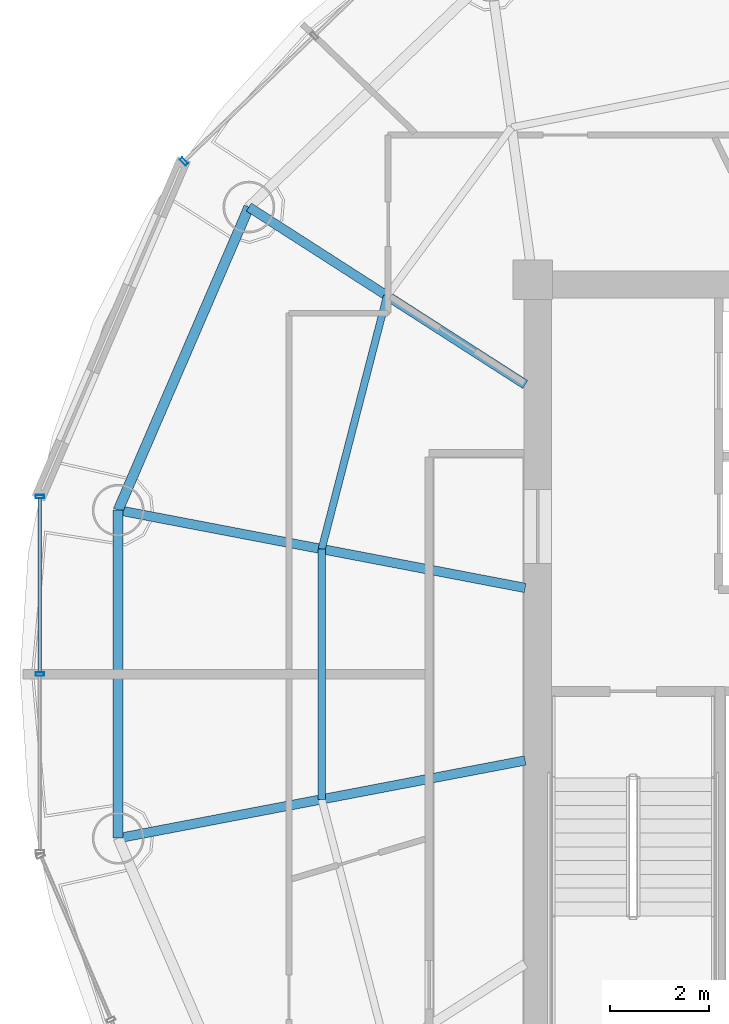
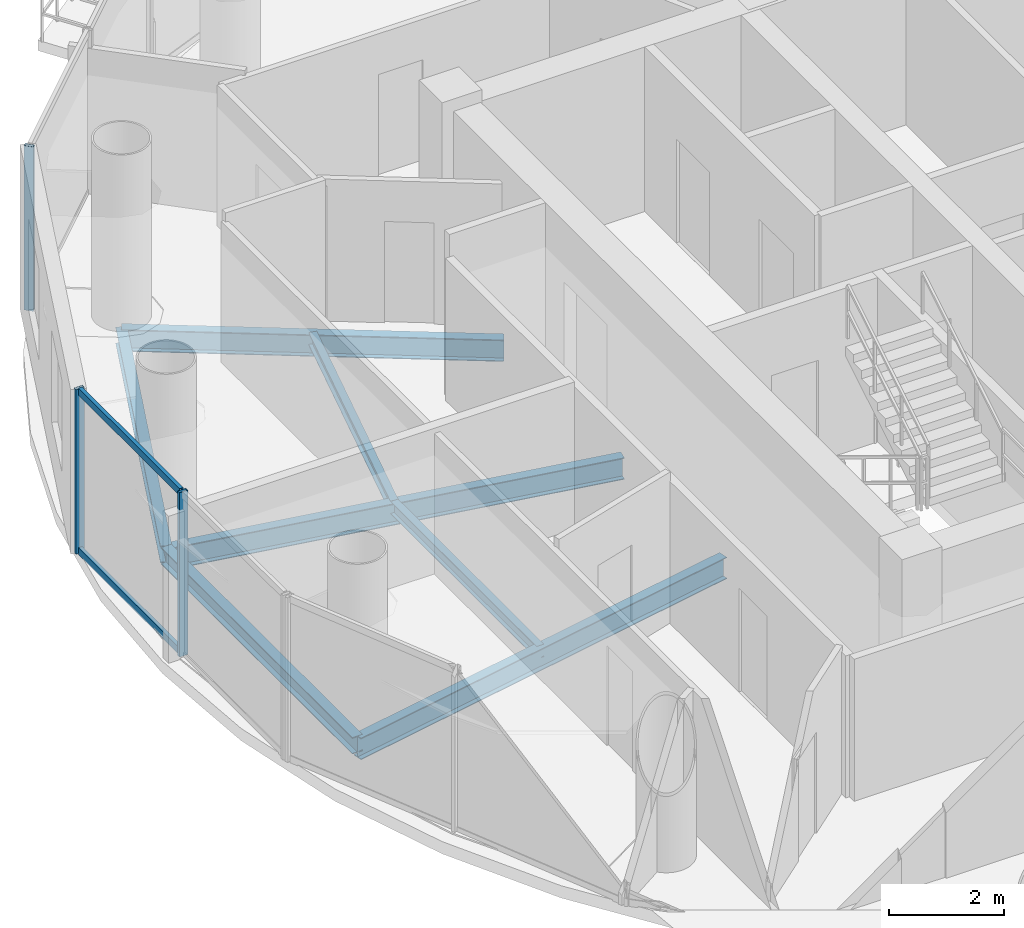
# One storey, part 8 of 24: 7 beams, 5 members, 2 elements without a shape of their own.
"""IFC4 building model written with IfcOpenShell, lengths in metres."""

import ifcopenshell
import ifcopenshell.guid

model = None  # the IFC model being written
_history = None  # IfcOwnerHistory: only IFC2X3 demands one
_inside = {}  # id of a spatial element -> (the spatial element, [elements in it])
_under = {}  # id of a project, library or spatial element -> (it, [spatial elements below it])
_declared = {}  # id of a project -> (the project, [libraries it declares])
_typed = {}  # id of a type object -> (the type object, [elements of that type])
_made_of = {}  # id of a material, layer set ... -> (it, [elements and type objects made of it])


def new_model(schema):
    """Start an empty IFC model of exactly this schema.

    Asked for "IFC4X3", IfcOpenShell would pick the latest addendum, in which some entities
    have other attributes; the version numbers below select the first issue.
    IFC2X3 requires an IfcOwnerHistory on every rooted entity: one is made here for all.
    """
    global model, _history
    if schema == "IFC4X3":
        model = ifcopenshell.file(schema_version=(4, 3, 0, 0))
    else:
        model = ifcopenshell.file(schema=schema)
    _inside.clear()
    _under.clear()
    _declared.clear()
    _typed.clear()
    _made_of.clear()
    _history = None
    if model.schema == "IFC2X3":
        org = make("IfcOrganization", Name="unknown")
        user = make(
            "IfcPersonAndOrganization",
            ThePerson=make("IfcPerson", FamilyName="unknown"),
            TheOrganization=org,
        )
        app = make(
            "IfcApplication",
            ApplicationDeveloper=org,
            Version="unknown",
            ApplicationFullName="unknown",
            ApplicationIdentifier="unknown",
        )
        _history = make(
            "IfcOwnerHistory",
            OwningUser=user,
            OwningApplication=app,
            ChangeAction="ADDED",
            CreationDate=0,
        )
    return model


def make(cls, **values):
    """One entity of the class cls with the attributes given. An attribute that is None is left unset."""
    return model.create_entity(
        cls, **{name: value for name, value in values.items() if value is not None}
    )


def rooted(cls, **values):
    """An entity with a GlobalId (a new one), such as an element, a storey or a relation."""
    return make(cls, GlobalId=ifcopenshell.guid.new(), OwnerHistory=_history, **values)


def si_unit(unit_type, name, prefix=None):
    """IfcSIUnit, for example si_unit("LENGTHUNIT", "METRE", prefix="MILLI")."""
    return make("IfcSIUnit", UnitType=unit_type, Prefix=prefix, Name=name)


def assignment(units):
    """IfcUnitAssignment: the units of a project."""
    return None if units is None else make("IfcUnitAssignment", Units=units)


def point(xyz):
    """IfcCartesianPoint."""
    return None if xyz is None else make("IfcCartesianPoint", Coordinates=xyz)


def direction(xyz):
    """IfcDirection."""
    return None if xyz is None else make("IfcDirection", DirectionRatios=xyz)


def frame(location, z_axis=None, x_axis=None):
    """IfcAxis2Placement3D, a coordinate frame: its origin and axes. An axis left out is left unset."""
    return make(
        "IfcAxis2Placement3D",
        Location=point(location),
        Axis=direction(z_axis),
        RefDirection=direction(x_axis),
    )


def frame_2d(location, x_axis=None):
    """IfcAxis2Placement2D, a coordinate frame in the plane: its origin and x axis."""
    return make(
        "IfcAxis2Placement2D", Location=point(location), RefDirection=direction(x_axis)
    )


def origin():
    """The frame at (0, 0, 0) with its axes left unset."""
    return frame((0.0, 0.0, 0.0))


def origin_2d():
    """The frame at (0, 0) in the plane with its x axis left unset."""
    return frame_2d((0.0, 0.0))


def place(relative_to, where):
    """IfcLocalPlacement: puts the frame where relative to a parent placement (None: the world)."""
    return make(
        "IfcLocalPlacement", PlacementRelTo=relative_to, RelativePlacement=where
    )


def context(
    kind, dimensions, precision=None, world=None, true_north=None, identifier=None
):
    """IfcGeometricRepresentationContext, for example the 3D "Model" context."""
    return make(
        "IfcGeometricRepresentationContext",
        ContextIdentifier=identifier,
        ContextType=kind,
        CoordinateSpaceDimension=dimensions,
        Precision=precision,
        WorldCoordinateSystem=world,
        TrueNorth=true_north,
    )


def subcontext(parent, identifier, kind, view, scale=None):
    """IfcGeometricRepresentationSubContext, for example "Body" below "Model"."""
    return make(
        "IfcGeometricRepresentationSubContext",
        ContextIdentifier=identifier,
        ContextType=kind,
        ParentContext=parent,
        TargetScale=scale,
        TargetView=view,
    )


def project(units=None, contexts=None):
    """IfcProject with its units and contexts."""
    return rooted(
        "IfcProject",
        Name="project",
        RepresentationContexts=contexts,
        UnitsInContext=assignment(units),
    )


def spatial(cls, under=None, at=None, **own):
    """A site, building, storey or space (cls), placed at a placement, below another one or the project."""
    s = rooted(cls, ObjectPlacement=at, **own)
    if under is not None:
        _under.setdefault(under.id(), (under, []))[1].append(s)
    return s


def profile(cls, at=None, kind="AREA", **sizes):
    """A parametric profile (cls). Its sizes go by their IFC names, for example OverallWidth=200.0."""
    return make(cls, ProfileType=kind, Position=at, **sizes)


def hollow_rectangle(**sizes):
    """IfcRectangleHollowProfileDef."""
    return profile("IfcRectangleHollowProfileDef", **sizes)


def i_section(**sizes):
    """IfcIShapeProfileDef."""
    return profile("IfcIShapeProfileDef", **sizes)


def extrude(swept, where, along, depth):
    """IfcExtrudedAreaSolid: the profile swept, set in the frame where, extruded along a direction by depth."""
    return make(
        "IfcExtrudedAreaSolid",
        SweptArea=swept,
        Position=where,
        ExtrudedDirection=direction(along),
        Depth=depth,
    )


def shape(context_of_items, identifier, shape_type, items):
    """IfcShapeRepresentation: the items that make up one representation, for example the "Body"."""
    return make(
        "IfcShapeRepresentation",
        ContextOfItems=context_of_items,
        RepresentationIdentifier=identifier,
        RepresentationType=shape_type,
        Items=items,
    )


def source(mapping_origin, context_of_items, identifier, shape_type, items):
    """IfcRepresentationMap: a shape defined once, which mapped items show again and again."""
    return make(
        "IfcRepresentationMap",
        MappingOrigin=mapping_origin,
        MappedRepresentation=shape(context_of_items, identifier, shape_type, items),
    )


def transform(
    local_origin,
    x_axis=None,
    y_axis=None,
    z_axis=None,
    scale=None,
    scale2=None,
    scale3=None,
    uniform=True,
):
    """IfcCartesianTransformationOperator3D, or its non-uniform kind. x_axis, y_axis, z_axis: its Axis1, 2, 3."""
    if uniform:
        return make(
            "IfcCartesianTransformationOperator3D",
            Axis1=direction(x_axis),
            Axis2=direction(y_axis),
            LocalOrigin=point(local_origin),
            Scale=scale,
            Axis3=direction(z_axis),
        )
    return make(
        "IfcCartesianTransformationOperator3DnonUniform",
        Axis1=direction(x_axis),
        Axis2=direction(y_axis),
        LocalOrigin=point(local_origin),
        Scale=scale,
        Axis3=direction(z_axis),
        Scale2=scale2,
        Scale3=scale3,
    )


def mapped(mapping_source, mapping_target):
    """IfcMappedItem: shows the shape of a source again, moved by a transform."""
    return make(
        "IfcMappedItem", MappingSource=mapping_source, MappingTarget=mapping_target
    )


def material(Name=None, Category=None):
    """IfcMaterial."""
    return make("IfcMaterial", Name=Name, Category=Category)


def material_profile(
    of_material, cross_section, Name=None, Category=None, Priority=None
):
    """IfcMaterialProfile: a cross section and its material."""
    return make(
        "IfcMaterialProfile",
        Name=Name,
        Material=of_material,
        Profile=cross_section,
        Priority=Priority,
        Category=Category,
    )


def profile_set(profiles, Name=None, composite=None):
    """IfcMaterialProfileSet."""
    return make(
        "IfcMaterialProfileSet",
        Name=Name,
        MaterialProfiles=profiles,
        CompositeProfile=composite,
    )


def made_of(thing, what):
    """Note that an element or type object is made of a material, layer set ...; save() writes the relation."""
    if what is not None:
        _made_of.setdefault(what.id(), (what, []))[1].append(thing)
    return thing


def type_object(cls, material=None, **own):
    """A type object (cls), such as IfcWallType, which elements share."""
    return made_of(rooted(cls, **own), material)


def element(
    cls,
    number,
    at=None,
    inside=None,
    cuts=None,
    type_object=None,
    material=None,
    context=None,
    identifier="Body",
    shape_type=None,
    held_by="IfcProductDefinitionShape",
    body=None,
    shapes=None,
    **own,
):
    """One element of the class cls, such as IfcWall. Its Tag is "e" and its number.

    at: its placement. inside: the storey or other place that contains it. cuts: it is an
    opening in that element (IfcRelVoidsElement). A single representation is given by context,
    identifier, shape_type and body (its items); several are given by shapes. held_by: the class
    of the entity that holds the representations. save() writes the other relations.
    """
    e = rooted(cls, Tag="e%d" % number, ObjectPlacement=at, **own)
    if body is not None:
        shapes = [shape(context, identifier, shape_type, body)]
    if shapes is not None:
        e.Representation = make(held_by, Representations=shapes)
    if inside is not None:
        _inside.setdefault(inside.id(), (inside, []))[1].append(e)
    if cuts is not None:
        rooted(
            "IfcRelVoidsElement", RelatingBuildingElement=cuts, RelatedOpeningElement=e
        )
    if type_object is not None:
        _typed.setdefault(type_object.id(), (type_object, []))[1].append(e)
    return made_of(e, material)


def aggregate(whole, parts):
    """IfcRelAggregates: a whole, such as a stair, and the parts it consists of."""
    return rooted("IfcRelAggregates", RelatingObject=whole, RelatedObjects=parts)


def save(model, path):
    """Write the relations noted so far, then the file.

    IfcRelAggregates (storeys below a building ...), IfcRelContainedInSpatialStructure (elements
    in a storey), IfcRelDefinesByType, IfcRelAssociatesMaterial and IfcRelDeclares: one each for
    every whole, place, type object, material and project.
    """
    for whole, parts in _under.values():
        aggregate(whole, parts)
    for where, things in _inside.values():
        rooted(
            "IfcRelContainedInSpatialStructure",
            RelatedElements=things,
            RelatingStructure=where,
        )
    for kind, things in _typed.values():
        rooted("IfcRelDefinesByType", RelatedObjects=things, RelatingType=kind)
    for what, things in _made_of.values():
        rooted("IfcRelAssociatesMaterial", RelatedObjects=things, RelatingMaterial=what)
    for by, libraries in _declared.values():
        rooted("IfcRelDeclares", RelatingContext=by, RelatedDefinitions=libraries)
    model.write(path)


model = new_model("IFC4")

# Units and contexts
model_context = context("Model", 3, precision=1e-05, world=origin(), true_north=direction((-0.2419218956, 0.970295726276)))
body_context = subcontext(model_context, "Body", "Model", "MODEL_VIEW")
ifc_project = project(units=[si_unit("LENGTHUNIT", "METRE"), si_unit("AREAUNIT", "SQUARE_METRE"), si_unit("VOLUMEUNIT", "CUBIC_METRE"), si_unit("PLANEANGLEUNIT", "RADIAN"), si_unit("MASSUNIT", "GRAM", prefix="KILO")], contexts=[model_context])

# Site, building, storey
site_placement = place(None, origin())
site = spatial("IfcSite", under=ifc_project, at=site_placement, CompositionType="ELEMENT")
building_placement = place(site_placement, origin())
building = spatial("IfcBuilding", under=site, at=building_placement, Name="Cobrevalo Terracotta Tower", CompositionType="ELEMENT")
storey_placement = place(building_placement, frame((0.0, 0.0, 278.199951171875)))
storey = spatial("IfcBuildingStorey", under=building, at=storey_placement, Name="L73", CompositionType="ELEMENT", Elevation=278.199951171875)

# Beams
ifc_material_1 = material(Name="Steel S355", Category="steel")
ifc_material_profile_1 = material_profile(ifc_material_1, i_section(OverallWidth=0.19091796875, OverallDepth=0.4599609375, WebThickness=0.010009765625, FlangeThickness=0.01611328125, at=origin_2d()), Name="W 460x82")
ifc_profile_set_1 = profile_set([ifc_material_profile_1], Name="Steel S355")
beam_type_1 = type_object("IfcBeamType", Name="Structural Beam W 460x82 (Steel S355)", PredefinedType="BEAM", material=ifc_profile_set_1)
beam_1_placement = place(storey_placement, frame((23.241455078125, 36.2724609375, -0.489990234375), z_axis=(0.84157615512, -0.540138477739, 0.0), x_axis=(0.540138477739, 0.84157615512, 0.0)))
element("IfcBeam", 1, at=beam_1_placement, inside=storey, type_object=beam_type_1, Name="L73 radial floor girder 07", PredefinedType="BEAM", context=body_context, shape_type="SweptSolid", body=[
    extrude(i_section(OverallWidth=0.19091796875, OverallDepth=0.4599609375, WebThickness=0.010009765625, FlangeThickness=0.01611328125, at=origin_2d()), origin(), (0.0, 0.0, 1.0), 6.658447265625),
])
beam_2_placement = place(storey_placement, frame((20.591064453125, 30.126220703125, -0.489990234375), z_axis=(0.982234917636, -0.187655446433, 0.0), x_axis=(0.187655446433, 0.982234917636, 0.0)))
element("IfcBeam", 2, at=beam_2_placement, inside=storey, type_object=beam_type_1, Name="L73 radial floor girder 08", PredefinedType="BEAM", context=body_context, shape_type="SweptSolid", body=[
    extrude(i_section(OverallWidth=0.19091796875, OverallDepth=0.4599609375, WebThickness=0.010009765625, FlangeThickness=0.01611328125, at=origin_2d()), origin(), (0.0, 0.0, 1.0), 8.403076171875),
])
beam_3_placement = place(storey_placement, frame((20.591064453125, 23.4736328125, -0.489990234375), z_axis=(0.982229562106, 0.187683476432, 0.0), x_axis=(-0.187683476432, 0.982229562106, 0.0)))
element("IfcBeam", 3, at=beam_3_placement, inside=storey, type_object=beam_type_1, Name="L73 radial floor girder 09", PredefinedType="BEAM", context=body_context, shape_type="SweptSolid", body=[
    extrude(i_section(OverallWidth=0.19091796875, OverallDepth=0.4599609375, WebThickness=0.010009765625, FlangeThickness=0.01611328125, at=origin_2d()), origin(), (0.0, 0.0, 1.0), 8.4033203125),
])
ifc_material_profile_2 = material_profile(ifc_material_1, i_section(OverallWidth=0.14794921875, OverallDepth=0.26611328125, WebThickness=0.007568359375, FlangeThickness=0.012939453125, at=origin_2d()), Name="W 250x44.8")
ifc_profile_set_2 = profile_set([ifc_material_profile_2], Name="Steel S355")
beam_type_2 = type_object("IfcBeamType", Name="Structural Joist W 250x44.8 (Steel S355)", PredefinedType="JOIST", material=ifc_profile_set_2)
beam_4_placement = place(storey_placement, frame((26.043212890625, 34.47412109375, -0.39306640625), z_axis=(-0.249816773293, -0.968293126993, 0.0), x_axis=(0.968293126993, -0.249816773293, 0.0)))
element("IfcBeam", 4, at=beam_4_placement, inside=storey, type_object=beam_type_2, Name="L73 circumferential secondary floor joist 07", PredefinedType="JOIST", context=body_context, shape_type="SweptSolid", body=[
    extrude(i_section(OverallWidth=0.14794921875, OverallDepth=0.26611328125, WebThickness=0.007568359375, FlangeThickness=0.012939453125, at=origin_2d()), origin(), (0.0, 0.0, 1.0), 5.3046875),
])
beam_5_placement = place(storey_placement, frame((24.718017578125, 29.337646484375, -0.39306640625), z_axis=(0.0, -1.0, 0.0), x_axis=(1.0, 0.0, 0.0)))
element("IfcBeam", 5, at=beam_5_placement, inside=storey, type_object=beam_type_2, Name="L73 circumferential secondary floor joist 08", PredefinedType="JOIST", context=body_context, shape_type="SweptSolid", body=[
    extrude(i_section(OverallWidth=0.14794921875, OverallDepth=0.26611328125, WebThickness=0.007568359375, FlangeThickness=0.012939453125, at=origin_2d()), origin(), (0.0, 0.0, 1.0), 5.075439453125),
])
ifc_material_profile_3 = material_profile(ifc_material_1, i_section(OverallWidth=0.205078125, OverallDepth=0.35400390625, WebThickness=0.009521484375, FlangeThickness=0.016845703125, at=origin_2d()), Name="W 360x79")
ifc_profile_set_3 = profile_set([ifc_material_profile_3], Name="Steel S355")
beam_type_3 = type_object("IfcBeamType", Name="Structural Spandrel W 360x79 (Steel S355)", PredefinedType="SPANDREL", material=ifc_profile_set_3)
beam_6_placement = place(storey_placement, frame((23.241455078125, 36.2724609375, -0.43701171875), z_axis=(-0.395974127655, -0.918261667624, 0.0), x_axis=(0.918261667624, -0.395974127655, 0.0)))
element("IfcBeam", 6, at=beam_6_placement, inside=storey, type_object=beam_type_3, Name="L73 perimeter ring spandrel 07", PredefinedType="SPANDREL", context=body_context, shape_type="SweptSolid", body=[
    extrude(i_section(OverallWidth=0.205078125, OverallDepth=0.35400390625, WebThickness=0.009521484375, FlangeThickness=0.016845703125, at=origin_2d()), origin(), (0.0, 0.0, 1.0), 6.693359375),
])
beam_7_placement = place(storey_placement, frame((20.591064453125, 30.126220703125, -0.43701171875), z_axis=(0.0, -1.0, 0.0), x_axis=(1.0, 0.0, 0.0)))
element("IfcBeam", 7, at=beam_7_placement, inside=storey, type_object=beam_type_3, Name="L73 perimeter ring spandrel 08", PredefinedType="SPANDREL", context=body_context, shape_type="SweptSolid", body=[
    extrude(i_section(OverallWidth=0.205078125, OverallDepth=0.35400390625, WebThickness=0.009521484375, FlangeThickness=0.016845703125, at=origin_2d()), origin(), (0.0, 0.0, 1.0), 6.652587890625),
])

# Curtain wall, member
ifc_material_2 = material(Name="Anodized aluminium", Category="aluminium")
curtain_wall_type = type_object("IfcCurtainWallType", Name="Upper-tower triple-glazed penthouse curtain wall CW-U3", PredefinedType="NOTDEFINED", material=ifc_material_2)
curtain_wall_1_placement = place(storey_placement, origin())
curtain_wall_1 = element("IfcCurtainWall", 8, at=curtain_wall_1_placement, inside=storey, type_object=curtain_wall_type, Name="L73 curtain wall CW-L73-S06", PredefinedType="NOTDEFINED")
ifc_material_profile_4 = material_profile(ifc_material_2, hollow_rectangle(XDim=0.070068359375, YDim=0.169921875, WallThickness=0.00439453125, at=origin_2d()), Name="CWM 70x170")
ifc_profile_set_4 = profile_set([ifc_material_profile_4], Name="Anodized aluminium")
member_type_1 = type_object("IfcMemberType", Name="Upper tower unitised mullion 70x170", PredefinedType="MULLION", material=ifc_profile_set_4)
shared_shape_1 = source(origin(), body_context, "Body", "SweptSolid", [
    extrude(hollow_rectangle(XDim=0.070068359375, YDim=0.169921875, WallThickness=0.00439453125, at=origin_2d()), origin(), (0.0, 0.0, 1.0), 3.489990234375),
])
member_1_placement = place(storey_placement, frame((21.92333984375, 37.2001953125, 0.0), z_axis=(0.0, 0.0, 1.0), x_axis=(-0.71999418085, -0.69398010025, 0.0)))
member_1 = element("IfcMember", 9, at=member_1_placement, type_object=member_type_1, Name="CW-L73-S06 vertical mullion 03", PredefinedType="MULLION", context=body_context, shape_type="MappedRepresentation", body=[
    mapped(shared_shape_1, transform((0.0, 0.0, 0.0), scale=1.0)),
])
aggregate(curtain_wall_1, [member_1])

# Curtain wall, members
curtain_wall_2_placement = place(storey_placement, origin())
curtain_wall_2 = element("IfcCurtainWall", 10, at=curtain_wall_2_placement, inside=storey, type_object=curtain_wall_type, Name="L73 curtain wall CW-L73-S08", PredefinedType="NOTDEFINED")
member_2_placement = place(storey_placement, frame((19.002197265625, 30.40234375, 0.0), z_axis=(0.0, 0.0, 1.0), x_axis=(0.0, -1.0, 0.0)))
member_2 = element("IfcMember", 11, at=member_2_placement, type_object=member_type_1, Name="CW-L73-S08 vertical mullion 01", PredefinedType="MULLION", context=body_context, shape_type="MappedRepresentation", body=[
    mapped(shared_shape_1, transform((0.0, 0.0, 0.0), scale=1.0)),
])
member_3_placement = place(storey_placement, frame((19.002197265625, 26.800048828125, 0.0), z_axis=(0.0, 0.0, 1.0), x_axis=(0.0, -1.0, 0.0)))
member_3 = element("IfcMember", 12, at=member_3_placement, type_object=member_type_1, Name="CW-L73-S08 vertical mullion 02", PredefinedType="MULLION", context=body_context, shape_type="MappedRepresentation", body=[
    mapped(shared_shape_1, transform((0.0, 0.0, 0.0), scale=1.0)),
])
ifc_material_profile_5 = material_profile(ifc_material_2, hollow_rectangle(XDim=0.074951171875, YDim=0.14990234375, WallThickness=0.00439453125, at=origin_2d()), Name="CWT 75x150")
ifc_profile_set_5 = profile_set([ifc_material_profile_5], Name="Anodized aluminium")
member_type_2 = type_object("IfcMemberType", Name="Tower unitised aluminium transom 75x150", PredefinedType="USERDEFINED", material=ifc_profile_set_5)
shared_shape_2 = source(origin(), body_context, "Body", "SweptSolid", [
    extrude(hollow_rectangle(XDim=0.074951171875, YDim=0.14990234375, WallThickness=0.00439453125, at=origin_2d()), origin(), (0.0, 0.0, 1.0), 3.522216796875),
])
member_4_placement = place(storey_placement, frame((19.002197265625, 30.3623046875, 0.050048828125), z_axis=(0.0, -1.0, 0.0), x_axis=(1.0, 0.0, 0.0)))
member_4 = element("IfcMember", 13, at=member_4_placement, type_object=member_type_2, Name="CW-L73-S08 transom B01-T1", ObjectType="TRANSOM", PredefinedType="USERDEFINED", context=body_context, shape_type="MappedRepresentation", body=[
    mapped(shared_shape_2, transform((0.0, 0.0, 0.0), scale=1.0)),
])
member_5_placement = place(storey_placement, frame((19.002197265625, 30.3623046875, 3.43994140625), z_axis=(0.0, -1.0, 0.0), x_axis=(1.0, 0.0, 0.0)))
member_5 = element("IfcMember", 14, at=member_5_placement, type_object=member_type_2, Name="CW-L73-S08 transom B01-T2", ObjectType="TRANSOM", PredefinedType="USERDEFINED", context=body_context, shape_type="MappedRepresentation", body=[
    mapped(shared_shape_2, transform((0.0, 0.0, 0.0), scale=1.0)),
])
aggregate(curtain_wall_2, [member_2, member_3, member_4, member_5])

save(model, "model.ifc")
